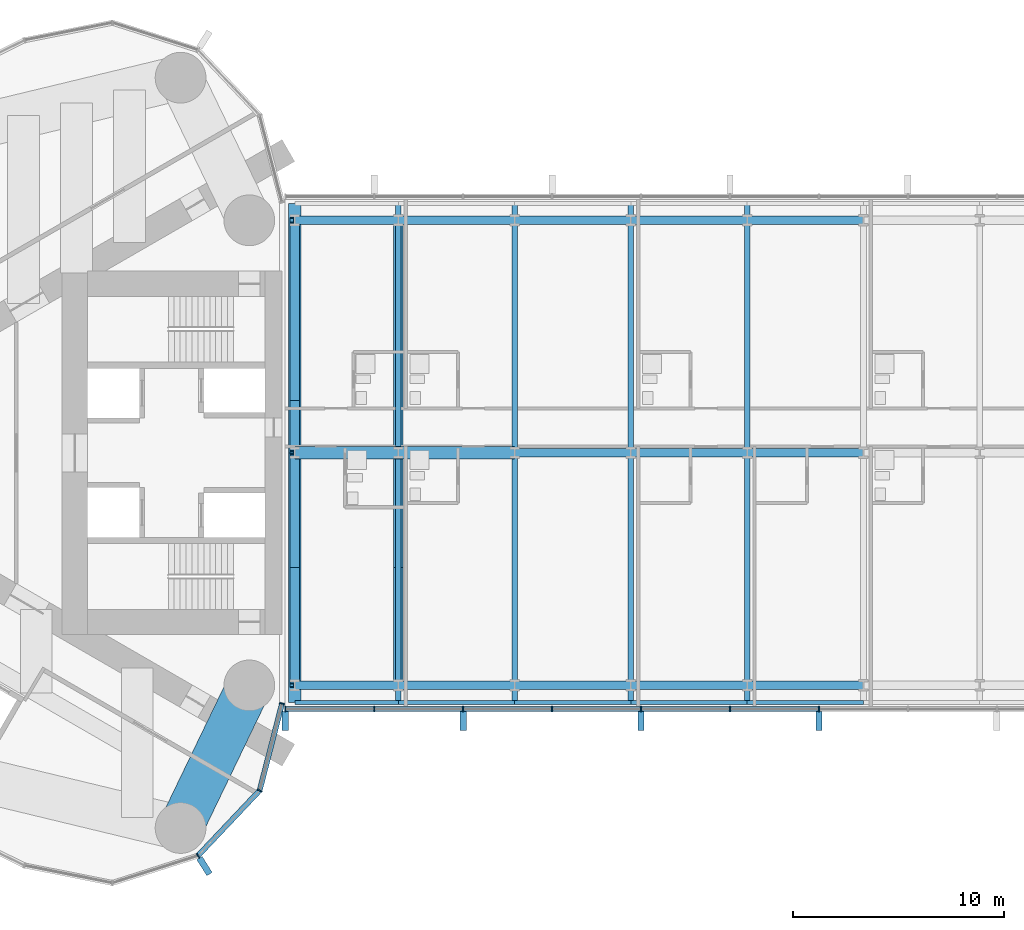
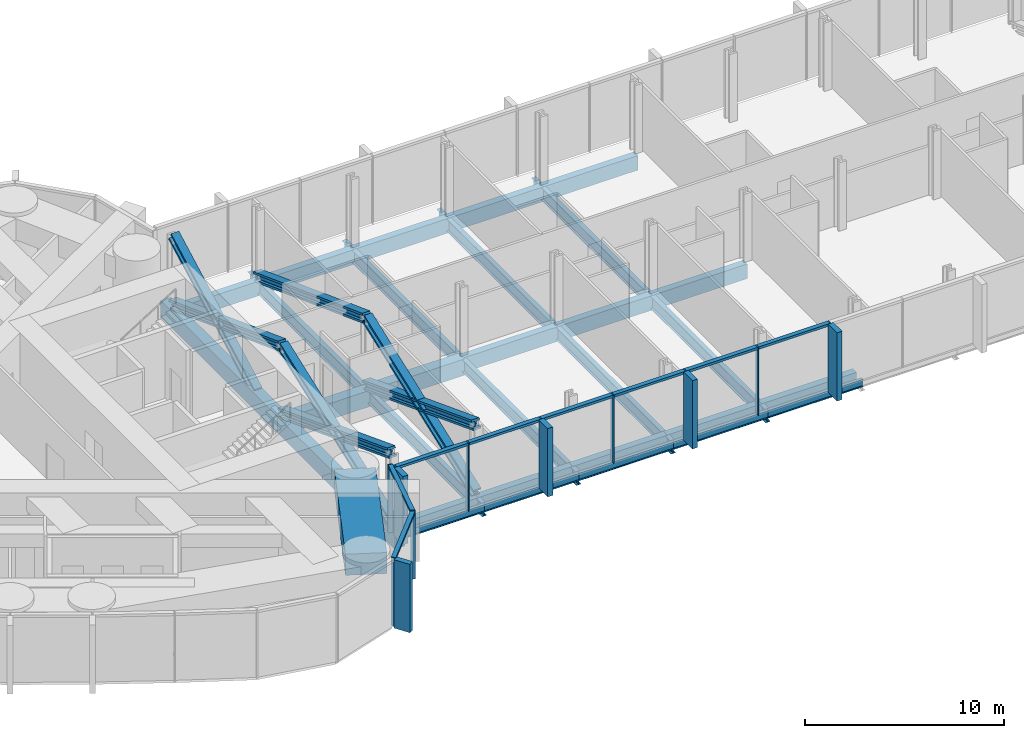
# One storey, part 5 of 23: 31 beams, 30 members, 2 elements without a shape of their own.
"""IFC4 building model written with IfcOpenShell, lengths in metres."""

from ifc_helpers import new_model, si_unit, direction, frame, origin, origin_2d, place, context, subcontext, project, spatial, rectangle, hollow_rectangle, i_section, extrude, material, material_profile, profile_set, type_object, element, aggregate, save


model = new_model("IFC4")

# Units and contexts
model_context = context("Model", 3, precision=1e-05, world=origin(), true_north=direction((0.0, 1.0)))
body_context = subcontext(model_context, "Body", "Model", "MODEL_VIEW")
ifc_project = project(units=[si_unit("LENGTHUNIT", "METRE"), si_unit("AREAUNIT", "SQUARE_METRE"), si_unit("VOLUMEUNIT", "CUBIC_METRE"), si_unit("PLANEANGLEUNIT", "RADIAN"), si_unit("MASSUNIT", "GRAM", prefix="KILO")], contexts=[model_context])

# Site, building, storey
site_placement = place(None, origin())
site = spatial("IfcSite", under=ifc_project, at=site_placement, CompositionType="ELEMENT")
building_placement = place(site_placement, origin())
building = spatial("IfcBuilding", under=site, at=building_placement, Name="Lancet Gate Hotel", CompositionType="ELEMENT")
storey_placement = place(building_placement, frame((0.0, 0.0, 247.699951171875)))
storey = spatial("IfcBuildingStorey", under=building, at=storey_placement, Name="L66", CompositionType="ELEMENT", Elevation=247.699951171875)

# Curtain wall, members
ifc_material_1 = material(Name="Aluminium curtain wall", Category="aluminium")
curtain_wall_type = type_object("IfcCurtainWallType", Name="Sky deck full-height glazing", PredefinedType="USERDEFINED", material=ifc_material_1)
curtain_wall_1_placement = place(storey_placement, origin())
curtain_wall_1 = element("IfcCurtainWall", 1, at=curtain_wall_1_placement, inside=storey, type_object=curtain_wall_type, Name="T1 L66 curtain wall 1", ObjectType="UNITISED CURTAIN WALL", PredefinedType="USERDEFINED")
ifc_material_2 = material(Name="Aluminium mullion", Category="aluminium")
ifc_material_profile_1 = material_profile(ifc_material_2, rectangle(XDim=0.06494140625, YDim=0.25, at=origin_2d()), Name="MULLION 65x250")
ifc_profile_set_1 = profile_set([ifc_material_profile_1], Name="Aluminium mullion")
member_type_1 = type_object("IfcMemberType", Name="Aluminium mullion 65x250", PredefinedType="MULLION", material=ifc_profile_set_1)
member_1_placement = place(storey_placement, frame((-31.476318359375, -19.0576171875, 0.0), z_axis=(0.0, 0.0, 1.0), x_axis=(0.846612863, 0.532209225966, 0.0)))
member_1 = element("IfcMember", 2, at=member_1_placement, type_object=member_type_1, Name="T1 L66 curtain wall 1 mullion 23", PredefinedType="MULLION", context=body_context, shape_type="SweptSolid", body=[
    extrude(rectangle(XDim=0.06494140625, YDim=0.25, at=origin_2d()), origin(), (0.0, 0.0, 1.0), 4.199951171875),
])
member_2_placement = place(storey_placement, frame((-28.56005859375, -15.97216796875, 0.0), z_axis=(0.0, 0.0, 1.0), x_axis=(0.483627322447, 0.875274021654, 0.0)))
member_2 = element("IfcMember", 3, at=member_2_placement, type_object=member_type_1, Name="T1 L66 curtain wall 1 mullion 24", PredefinedType="MULLION", context=body_context, shape_type="SweptSolid", body=[
    extrude(rectangle(XDim=0.06494140625, YDim=0.25, at=origin_2d()), origin(), (0.0, 0.0, 1.0), 4.199951171875),
])
member_3_placement = place(storey_placement, frame((-27.5, -11.861572265625, 0.0), z_axis=(0.0, 0.0, 1.0), x_axis=(0.249725827997, 0.968316586056, 0.0)))
member_3 = element("IfcMember", 4, at=member_3_placement, type_object=member_type_1, Name="T1 L66 curtain wall 1 mullion 25", PredefinedType="MULLION", context=body_context, shape_type="SweptSolid", body=[
    extrude(rectangle(XDim=0.06494140625, YDim=0.25, at=origin_2d()), origin(), (0.0, 0.0, 1.0), 4.199951171875),
])

curtain_wall_2_placement = place(storey_placement, origin())
curtain_wall_2 = element("IfcCurtainWall", 5, at=curtain_wall_2_placement, inside=storey, type_object=curtain_wall_type, Name="Bridge block L66 curtain wall S", ObjectType="UNITISED CURTAIN WALL", PredefinedType="USERDEFINED")
member_4_placement = place(storey_placement, frame((-27.35009765625, -12.1201171875, 0.0), z_axis=(0.0, 0.0, 1.0), x_axis=(1.0, 0.0, 0.0)))
member_4 = element("IfcMember", 6, at=member_4_placement, type_object=member_type_1, Name="Bridge block L66 curtain wall S mullion 1", PredefinedType="MULLION", context=body_context, shape_type="SweptSolid", body=[
    extrude(rectangle(XDim=0.06494140625, YDim=0.25, at=origin_2d()), origin(), (0.0, 0.0, 1.0), 4.199951171875),
])
member_5_placement = place(storey_placement, frame((-23.142333984375, -12.1201171875, 0.0), z_axis=(0.0, 0.0, 1.0), x_axis=(1.0, 0.0, 0.0)))
member_5 = element("IfcMember", 7, at=member_5_placement, type_object=member_type_1, Name="Bridge block L66 curtain wall S mullion 2", PredefinedType="MULLION", context=body_context, shape_type="SweptSolid", body=[
    extrude(rectangle(XDim=0.06494140625, YDim=0.25, at=origin_2d()), origin(), (0.0, 0.0, 1.0), 4.199951171875),
])
member_6_placement = place(storey_placement, frame((-18.9345703125, -12.1201171875, 0.0), z_axis=(0.0, 0.0, 1.0), x_axis=(1.0, 0.0, 0.0)))
member_6 = element("IfcMember", 8, at=member_6_placement, type_object=member_type_1, Name="Bridge block L66 curtain wall S mullion 3", PredefinedType="MULLION", context=body_context, shape_type="SweptSolid", body=[
    extrude(rectangle(XDim=0.06494140625, YDim=0.25, at=origin_2d()), origin(), (0.0, 0.0, 1.0), 4.199951171875),
])
member_7_placement = place(storey_placement, frame((-14.726806640625, -12.1201171875, 0.0), z_axis=(0.0, 0.0, 1.0), x_axis=(1.0, 0.0, 0.0)))
member_7 = element("IfcMember", 9, at=member_7_placement, type_object=member_type_1, Name="Bridge block L66 curtain wall S mullion 4", PredefinedType="MULLION", context=body_context, shape_type="SweptSolid", body=[
    extrude(rectangle(XDim=0.06494140625, YDim=0.25, at=origin_2d()), origin(), (0.0, 0.0, 1.0), 4.199951171875),
])
member_8_placement = place(storey_placement, frame((-10.519287109375, -12.1201171875, 0.0), z_axis=(0.0, 0.0, 1.0), x_axis=(1.0, 0.0, 0.0)))
member_8 = element("IfcMember", 10, at=member_8_placement, type_object=member_type_1, Name="Bridge block L66 curtain wall S mullion 5", PredefinedType="MULLION", context=body_context, shape_type="SweptSolid", body=[
    extrude(rectangle(XDim=0.06494140625, YDim=0.25, at=origin_2d()), origin(), (0.0, 0.0, 1.0), 4.199951171875),
])
member_9_placement = place(storey_placement, frame((-6.3115234375, -12.1201171875, 0.0), z_axis=(0.0, 0.0, 1.0), x_axis=(1.0, 0.0, 0.0)))
member_9 = element("IfcMember", 11, at=member_9_placement, type_object=member_type_1, Name="Bridge block L66 curtain wall S mullion 6", PredefinedType="MULLION", context=body_context, shape_type="SweptSolid", body=[
    extrude(rectangle(XDim=0.06494140625, YDim=0.25, at=origin_2d()), origin(), (0.0, 0.0, 1.0), 4.199951171875),
])
member_10_placement = place(storey_placement, frame((-2.103759765625, -12.1201171875, 0.0), z_axis=(0.0, 0.0, 1.0), x_axis=(1.0, 0.0, 0.0)))
member_10 = element("IfcMember", 12, at=member_10_placement, type_object=member_type_1, Name="Bridge block L66 curtain wall S mullion 7", PredefinedType="MULLION", context=body_context, shape_type="SweptSolid", body=[
    extrude(rectangle(XDim=0.06494140625, YDim=0.25, at=origin_2d()), origin(), (0.0, 0.0, 1.0), 4.199951171875),
])

# Member
ifc_material_3 = material(Name="Aluminium transom", Category="aluminium")
ifc_material_profile_2 = material_profile(ifc_material_3, rectangle(XDim=0.25, YDim=0.14990234375, at=origin_2d()), Name="TRANSOM 250x150")
ifc_profile_set_2 = profile_set([ifc_material_profile_2], Name="Aluminium transom")
member_type_2 = type_object("IfcMemberType", Name="Aluminium transom 250x150", PredefinedType="USERDEFINED", material=ifc_profile_set_2)
member_11_placement = place(storey_placement, frame((-31.453857421875, -19.033935546875, 4.125), z_axis=(0.686880731091, 0.726770157103, 0.0), x_axis=(-0.726770157103, 0.686880731091, 0.0)))
member_11 = element("IfcMember", 13, at=member_11_placement, type_object=member_type_2, Name="T1 L66 curtain wall 1 transom 23", ObjectType="TRANSOM", PredefinedType="USERDEFINED", context=body_context, shape_type="SweptSolid", body=[
    extrude(rectangle(XDim=0.25, YDim=0.14990234375, at=origin_2d()), origin(), (0.0, 0.0, 1.0), 4.18017578125),
])

member_12_placement = place(storey_placement, frame((-28.552001953125, -15.94091796875, 4.125), z_axis=(0.249715522936, 0.968319243641, 0.0), x_axis=(-0.968319243641, 0.249715522936, 0.0)))
member_12 = element("IfcMember", 14, at=member_12_placement, type_object=member_type_2, Name="T1 L66 curtain wall 1 transom 24", ObjectType="TRANSOM", PredefinedType="USERDEFINED", context=body_context, shape_type="SweptSolid", body=[
    extrude(rectangle(XDim=0.25, YDim=0.14990234375, at=origin_2d()), origin(), (0.0, 0.0, 1.0), 4.180419921875),
])

member_13_placement = place(storey_placement, frame((-27.3173828125, -12.1201171875, 4.125), z_axis=(1.0, 0.0, 0.0), x_axis=(0.0, 1.0, 0.0)))
member_13 = element("IfcMember", 15, at=member_13_placement, type_object=member_type_2, Name="Bridge block L66 curtain wall S transom 1", ObjectType="TRANSOM", PredefinedType="USERDEFINED", context=body_context, shape_type="SweptSolid", body=[
    extrude(rectangle(XDim=0.25, YDim=0.14990234375, at=origin_2d()), origin(), (0.0, 0.0, 1.0), 4.142578125),
])

member_14_placement = place(storey_placement, frame((-23.10986328125, -12.1201171875, 4.125), z_axis=(1.0, 0.0, 0.0), x_axis=(0.0, 1.0, 0.0)))
member_14 = element("IfcMember", 16, at=member_14_placement, type_object=member_type_2, Name="Bridge block L66 curtain wall S transom 2", ObjectType="TRANSOM", PredefinedType="USERDEFINED", context=body_context, shape_type="SweptSolid", body=[
    extrude(rectangle(XDim=0.25, YDim=0.14990234375, at=origin_2d()), origin(), (0.0, 0.0, 1.0), 4.142822265625),
])

member_15_placement = place(storey_placement, frame((-18.902099609375, -12.1201171875, 4.125), z_axis=(1.0, 0.0, 0.0), x_axis=(0.0, 1.0, 0.0)))
member_15 = element("IfcMember", 17, at=member_15_placement, type_object=member_type_2, Name="Bridge block L66 curtain wall S transom 3", ObjectType="TRANSOM", PredefinedType="USERDEFINED", context=body_context, shape_type="SweptSolid", body=[
    extrude(rectangle(XDim=0.25, YDim=0.14990234375, at=origin_2d()), origin(), (0.0, 0.0, 1.0), 4.142578125),
])

member_16_placement = place(storey_placement, frame((-14.6943359375, -12.1201171875, 4.125), z_axis=(1.0, 0.0, 0.0), x_axis=(0.0, 1.0, 0.0)))
member_16 = element("IfcMember", 18, at=member_16_placement, type_object=member_type_2, Name="Bridge block L66 curtain wall S transom 4", ObjectType="TRANSOM", PredefinedType="USERDEFINED", context=body_context, shape_type="SweptSolid", body=[
    extrude(rectangle(XDim=0.25, YDim=0.14990234375, at=origin_2d()), origin(), (0.0, 0.0, 1.0), 4.142578125),
])

member_17_placement = place(storey_placement, frame((-10.48681640625, -12.1201171875, 4.125), z_axis=(1.0, 0.0, 0.0), x_axis=(0.0, 1.0, 0.0)))
member_17 = element("IfcMember", 19, at=member_17_placement, type_object=member_type_2, Name="Bridge block L66 curtain wall S transom 5", ObjectType="TRANSOM", PredefinedType="USERDEFINED", context=body_context, shape_type="SweptSolid", body=[
    extrude(rectangle(XDim=0.25, YDim=0.14990234375, at=origin_2d()), origin(), (0.0, 0.0, 1.0), 4.142822265625),
])

member_18_placement = place(storey_placement, frame((-6.279052734375, -12.1201171875, 4.125), z_axis=(1.0, 0.0, 0.0), x_axis=(0.0, 1.0, 0.0)))
member_18 = element("IfcMember", 20, at=member_18_placement, type_object=member_type_2, Name="Bridge block L66 curtain wall S transom 6", ObjectType="TRANSOM", PredefinedType="USERDEFINED", context=body_context, shape_type="SweptSolid", body=[
    extrude(rectangle(XDim=0.25, YDim=0.14990234375, at=origin_2d()), origin(), (0.0, 0.0, 1.0), 4.142822265625),
])

# Members
ifc_material_4 = material(Name="Steel S460", Category="steel")
ifc_material_profile_3 = material_profile(ifc_material_4, i_section(OverallWidth=0.4541015625, OverallDepth=0.569091796875, WebThickness=0.077880859375, FlangeThickness=0.125, FilletRadius=0.02001953125, at=origin_2d()), Name="HD 400x1086")
ifc_profile_set_3 = profile_set([ifc_material_profile_3], Name="Steel S460")
member_type_3 = type_object("IfcMemberType", Name="Block brace HD 400x1086", PredefinedType="BRACE", material=ifc_profile_set_3)
member_19_placement = place(storey_placement, frame((-26.89990234375, -11.0, 0.0), z_axis=(0.0, 0.937024738711, 0.349262994094), x_axis=(-1.0, 0.0, 0.0)))
element("IfcMember", 21, at=member_19_placement, inside=storey, type_object=member_type_3, Name="Block brace WY11 L66", PredefinedType="BRACE", context=body_context, shape_type="SweptSolid", body=[
    extrude(i_section(OverallWidth=0.4541015625, OverallDepth=0.569091796875, WebThickness=0.077880859375, FlangeThickness=0.125, FilletRadius=0.02001953125, at=origin_2d()), origin(), (0.0, 0.0, 1.0), 11.7392578125),
])
member_20_placement = place(storey_placement, frame((-26.89990234375, 0.0, 0.0), z_axis=(0.0, -0.934219768083, 0.356697946341), x_axis=(1.0, 0.0, 0.0)))
element("IfcMember", 22, at=member_20_placement, inside=storey, type_object=member_type_3, Name="Block brace WY12 L66", PredefinedType="BRACE", context=body_context, shape_type="SweptSolid", body=[
    extrude(i_section(OverallWidth=0.4541015625, OverallDepth=0.569091796875, WebThickness=0.077880859375, FlangeThickness=0.125, FilletRadius=0.02001953125, at=origin_2d()), origin(), (0.0, 0.0, 1.0), 11.7744140625),
])
for number, where, z_axis, x_axis, name in (
    (23, (-26.89990234375, 11.0, 0.0), (0.0, -0.937024738711, 0.349262994094), (1.0, 0.0, 0.0), "Block brace WY22 L66"),
    (24, (-22.0, -11.0, 0.0), (0.0, 0.937024738711, 0.349262994094), (-1.0, 0.0, 0.0), "Block brace WI11 L66"),
):
    element("IfcMember", number, at=place(storey_placement, frame(where, z_axis=z_axis, x_axis=x_axis)), inside=storey, type_object=member_type_3, Name=name, PredefinedType="BRACE", context=body_context, shape_type="SweptSolid", body=[
        extrude(i_section(OverallWidth=0.4541015625, OverallDepth=0.569091796875, WebThickness=0.077880859375, FlangeThickness=0.125, FilletRadius=0.02001953125, at=origin_2d()), origin(), (0.0, 0.0, 1.0), 11.7392578125),
    ])
member_21_placement = place(storey_placement, frame((-22.0, 0.0, 0.0), z_axis=(0.0, -0.934219768083, 0.356697946341), x_axis=(1.0, 0.0, 0.0)))
element("IfcMember", 25, at=member_21_placement, inside=storey, type_object=member_type_3, Name="Block brace WI12 L66", PredefinedType="BRACE", context=body_context, shape_type="SweptSolid", body=[
    extrude(i_section(OverallWidth=0.4541015625, OverallDepth=0.569091796875, WebThickness=0.077880859375, FlangeThickness=0.125, FilletRadius=0.02001953125, at=origin_2d()), origin(), (0.0, 0.0, 1.0), 11.7744140625),
])
member_22_placement = place(storey_placement, frame((-22.0, 11.0, 0.0), z_axis=(0.0, -0.937024738711, 0.349262994094), x_axis=(1.0, 0.0, 0.0)))
element("IfcMember", 26, at=member_22_placement, inside=storey, type_object=member_type_3, Name="Block brace WI22 L66", PredefinedType="BRACE", context=body_context, shape_type="SweptSolid", body=[
    extrude(i_section(OverallWidth=0.4541015625, OverallDepth=0.569091796875, WebThickness=0.077880859375, FlangeThickness=0.125, FilletRadius=0.02001953125, at=origin_2d()), origin(), (0.0, 0.0, 1.0), 11.7392578125),
])
member_23_placement = place(storey_placement, frame((-26.89990234375, 2.60009765625, -0.300048828125), z_axis=(0.0, 0.881477684796, 0.472225678258), x_axis=(-1.0, 0.0, 0.0)))
element("IfcMember", 27, at=member_23_placement, inside=storey, type_object=member_type_3, Name="Block brace WY23 L66", PredefinedType="BRACE", context=body_context, shape_type="SweptSolid", body=[
    extrude(i_section(OverallWidth=0.4541015625, OverallDepth=0.569091796875, WebThickness=0.077880859375, FlangeThickness=0.125, FilletRadius=0.02001953125, at=origin_2d()), origin(), (0.0, 0.0, 1.0), 9.529296875),
])

# Beams
ifc_material_5 = material(Name="Steel S355", Category="steel")
ifc_material_profile_4 = material_profile(ifc_material_5, i_section(OverallWidth=0.19140625, OverallDepth=0.4599609375, WebThickness=0.010009765625, FlangeThickness=0.01611328125, FilletRadius=0.01025390625, at=origin_2d()), Name="UKB 457x191x82")
ifc_profile_set_4 = profile_set([ifc_material_profile_4], Name="Steel S355")
beam_type_1 = type_object("IfcBeamType", Name="Block edge beam UKB 457x191x82", PredefinedType="SPANDREL", material=ifc_profile_set_4)
beam_1_placement = place(storey_placement, frame((-26.89990234375, -11.800048828125, -0.429931640625), z_axis=(1.0, 0.0, 0.0), x_axis=(0.0, 1.0, 0.0)))
element("IfcBeam", 28, at=beam_1_placement, inside=storey, type_object=beam_type_1, Name="Block edge beam S 0-1 L66", PredefinedType="SPANDREL", context=body_context, shape_type="SweptSolid", body=[
    extrude(i_section(OverallWidth=0.19140625, OverallDepth=0.4599609375, WebThickness=0.010009765625, FlangeThickness=0.01611328125, FilletRadius=0.01025390625, at=origin_2d()), origin(), (0.0, 0.0, 1.0), 4.89990234375),
])
for number, where, z_axis, x_axis, name in (
    (29, (-22.0, -11.800048828125, -0.429931640625), (1.0, 0.0, 0.0), (0.0, 1.0, 0.0), "Block edge beam S 1-2 L66"),
    (30, (-16.5, -11.800048828125, -0.429931640625), (1.0, 0.0, 0.0), (0.0, 1.0, 0.0), "Block edge beam S 2-3 L66"),
    (31, (-11.0, -11.800048828125, -0.429931640625), (1.0, 0.0, 0.0), (0.0, 1.0, 0.0), "Block edge beam S 3-4 L66"),
    (32, (-5.5, -11.800048828125, -0.429931640625), (1.0, 0.0, 0.0), (0.0, 1.0, 0.0), "Block edge beam S 4-5 L66"),
):
    element("IfcBeam", number, at=place(storey_placement, frame(where, z_axis=z_axis, x_axis=x_axis)), inside=storey, type_object=beam_type_1, Name=name, PredefinedType="SPANDREL", context=body_context, shape_type="SweptSolid", body=[
        extrude(i_section(OverallWidth=0.19140625, OverallDepth=0.4599609375, WebThickness=0.010009765625, FlangeThickness=0.01611328125, FilletRadius=0.01025390625, at=origin_2d()), origin(), (0.0, 0.0, 1.0), 5.5),
    ])
ifc_material_6 = material(Name="Steel S460QL", Category="steel")
ifc_material_profile_5 = material_profile(ifc_material_6, hollow_rectangle(XDim=0.60009765625, YDim=1.0, WallThickness=0.10009765625, at=origin_2d()), Name="BOX 1000x600x100")
ifc_profile_set_5 = profile_set([ifc_material_profile_5], Name="Steel S460QL")
beam_type_2 = type_object("IfcBeamType", Name="Block end beam BOX 1000x600x100", PredefinedType="BEAM", material=ifc_profile_set_5)
for number, where, z_axis, x_axis, name in (
    (33, (-26.89990234375, -11.800048828125, -0.699951171875), (0.0, 1.0, 0.0), (-1.0, 0.0, 0.0), "Block beam x0 S L66"),
    (34, (-26.89990234375, 0.0, -0.699951171875), (0.0, 1.0, 0.0), (-1.0, 0.0, 0.0), "Block beam x0 N L66"),
):
    element("IfcBeam", number, at=place(storey_placement, frame(where, z_axis=z_axis, x_axis=x_axis)), inside=storey, type_object=beam_type_2, Name=name, PredefinedType="BEAM", context=body_context, shape_type="SweptSolid", body=[
        extrude(hollow_rectangle(XDim=0.60009765625, YDim=1.0, WallThickness=0.10009765625, at=origin_2d()), origin(), (0.0, 0.0, 1.0), 11.800048828125),
    ])
ifc_material_7 = material(Name="Steel S460QL", Category="steel")
ifc_material_profile_6 = material_profile(ifc_material_7, hollow_rectangle(XDim=0.60009765625, YDim=1.0, WallThickness=0.080078125, at=origin_2d()), Name="BOX 1000x600x80")
ifc_profile_set_6 = profile_set([ifc_material_profile_6], Name="Steel S460QL")
beam_type_3 = type_object("IfcBeamType", Name="Block primary beam BOX 1000x600x80", PredefinedType="BEAM", material=ifc_profile_set_6)
beam_2_placement = place(storey_placement, frame((-26.89990234375, 0.0, -0.699951171875), z_axis=(1.0, 0.0, 0.0), x_axis=(0.0, 1.0, 0.0)))
element("IfcBeam", 35, at=beam_2_placement, inside=storey, type_object=beam_type_3, Name="Block primary beam M 1 L66", PredefinedType="BEAM", context=body_context, shape_type="SweptSolid", body=[
    extrude(hollow_rectangle(XDim=0.60009765625, YDim=1.0, WallThickness=0.080078125, at=origin_2d()), origin(), (0.0, 0.0, 1.0), 4.89990234375),
])
beam_3_placement = place(storey_placement, frame((-22.0, 0.0, -0.699951171875), z_axis=(1.0, 0.0, 0.0), x_axis=(0.0, 1.0, 0.0)))
element("IfcBeam", 36, at=beam_3_placement, inside=storey, type_object=beam_type_3, Name="Block primary beam M 2 L66", PredefinedType="BEAM", context=body_context, shape_type="SweptSolid", body=[
    extrude(hollow_rectangle(XDim=0.60009765625, YDim=1.0, WallThickness=0.080078125, at=origin_2d()), origin(), (0.0, 0.0, 1.0), 5.5),
])
ifc_material_8 = material(Name="Steel S355", Category="steel")
ifc_material_profile_7 = material_profile(ifc_material_8, hollow_rectangle(XDim=0.39990234375, YDim=0.89990234375, WallThickness=0.0400390625, at=origin_2d()), Name="BOX 900x400x40")
ifc_profile_set_7 = profile_set([ifc_material_profile_7], Name="Steel S355")
beam_type_4 = type_object("IfcBeamType", Name="Block primary beam BOX 900x400x40", PredefinedType="BEAM", material=ifc_profile_set_7)
beam_4_placement = place(storey_placement, frame((-26.89990234375, -11.0, -0.64990234375), z_axis=(1.0, 0.0, 0.0), x_axis=(0.0, 1.0, 0.0)))
element("IfcBeam", 37, at=beam_4_placement, inside=storey, type_object=beam_type_4, Name="Block primary beam S 1 L66", PredefinedType="BEAM", context=body_context, shape_type="SweptSolid", body=[
    extrude(hollow_rectangle(XDim=0.39990234375, YDim=0.89990234375, WallThickness=0.0400390625, at=origin_2d()), origin(), (0.0, 0.0, 1.0), 4.89990234375),
])
for number, where, z_axis, x_axis, name in (
    (38, (-22.0, -11.0, -0.64990234375), (1.0, 0.0, 0.0), (0.0, 1.0, 0.0), "Block primary beam S 2 L66"),
    (39, (-16.5, -11.0, -0.64990234375), (1.0, 0.0, 0.0), (0.0, 1.0, 0.0), "Block primary beam S 3 L66"),
    (40, (-11.0, -11.0, -0.64990234375), (1.0, 0.0, 0.0), (0.0, 1.0, 0.0), "Block primary beam S 4 L66"),
    (41, (-5.5, -11.0, -0.64990234375), (1.0, 0.0, 0.0), (0.0, 1.0, 0.0), "Block primary beam S 5 L66"),
    (42, (-16.5, 0.0, -0.64990234375), (1.0, 0.0, 0.0), (0.0, 1.0, 0.0), "Block primary beam M 3 L66"),
    (43, (-11.0, 0.0, -0.64990234375), (1.0, 0.0, 0.0), (0.0, 1.0, 0.0), "Block primary beam M 4 L66"),
    (44, (-5.5, 0.0, -0.64990234375), (1.0, 0.0, 0.0), (0.0, 1.0, 0.0), "Block primary beam M 5 L66"),
):
    element("IfcBeam", number, at=place(storey_placement, frame(where, z_axis=z_axis, x_axis=x_axis)), inside=storey, type_object=beam_type_4, Name=name, PredefinedType="BEAM", context=body_context, shape_type="SweptSolid", body=[
        extrude(hollow_rectangle(XDim=0.39990234375, YDim=0.89990234375, WallThickness=0.0400390625, at=origin_2d()), origin(), (0.0, 0.0, 1.0), 5.5),
    ])
beam_5_placement = place(storey_placement, frame((-26.89990234375, 11.0, -0.64990234375), z_axis=(1.0, 0.0, 0.0), x_axis=(0.0, 1.0, 0.0)))
element("IfcBeam", 45, at=beam_5_placement, inside=storey, type_object=beam_type_4, Name="Block primary beam N 1 L66", PredefinedType="BEAM", context=body_context, shape_type="SweptSolid", body=[
    extrude(hollow_rectangle(XDim=0.39990234375, YDim=0.89990234375, WallThickness=0.0400390625, at=origin_2d()), origin(), (0.0, 0.0, 1.0), 4.89990234375),
])
for number, where, z_axis, x_axis, name in (
    (46, (-22.0, 11.0, -0.64990234375), (1.0, 0.0, 0.0), (0.0, 1.0, 0.0), "Block primary beam N 2 L66"),
    (47, (-16.5, 11.0, -0.64990234375), (1.0, 0.0, 0.0), (0.0, 1.0, 0.0), "Block primary beam N 3 L66"),
    (48, (-11.0, 11.0, -0.64990234375), (1.0, 0.0, 0.0), (0.0, 1.0, 0.0), "Block primary beam N 4 L66"),
    (49, (-5.5, 11.0, -0.64990234375), (1.0, 0.0, 0.0), (0.0, 1.0, 0.0), "Block primary beam N 5 L66"),
):
    element("IfcBeam", number, at=place(storey_placement, frame(where, z_axis=z_axis, x_axis=x_axis)), inside=storey, type_object=beam_type_4, Name=name, PredefinedType="BEAM", context=body_context, shape_type="SweptSolid", body=[
        extrude(hollow_rectangle(XDim=0.39990234375, YDim=0.89990234375, WallThickness=0.0400390625, at=origin_2d()), origin(), (0.0, 0.0, 1.0), 5.5),
    ])
ifc_material_9 = material(Name="Steel S355", Category="steel")
ifc_material_profile_8 = material_profile(ifc_material_9, i_section(OverallWidth=0.26806640625, OverallDepth=0.769775390625, WebThickness=0.015625, FlangeThickness=0.025390625, FilletRadius=0.0166015625, at=origin_2d()), Name="UKB 762x267x197")
ifc_profile_set_8 = profile_set([ifc_material_profile_8], Name="Steel S355")
beam_type_5 = type_object("IfcBeamType", Name="Block secondary beam UKB 762x267x197", PredefinedType="JOIST", material=ifc_profile_set_8)
for number, where, z_axis, x_axis, name in (
    (50, (-22.0, -11.800048828125, -0.5849609375), (0.0, 1.0, 0.0), (-1.0, 0.0, 0.0), "Block beam x1 S L66"),
    (51, (-22.0, 0.0, -0.5849609375), (0.0, 1.0, 0.0), (-1.0, 0.0, 0.0), "Block beam x1 N L66"),
    (52, (-16.5, -11.800048828125, -0.5849609375), (0.0, 1.0, 0.0), (-1.0, 0.0, 0.0), "Block beam x2 S L66"),
    (53, (-16.5, 0.0, -0.5849609375), (0.0, 1.0, 0.0), (-1.0, 0.0, 0.0), "Block beam x2 N L66"),
    (54, (-11.0, -11.800048828125, -0.5849609375), (0.0, 1.0, 0.0), (-1.0, 0.0, 0.0), "Block beam x3 S L66"),
    (55, (-11.0, 0.0, -0.5849609375), (0.0, 1.0, 0.0), (-1.0, 0.0, 0.0), "Block beam x3 N L66"),
    (56, (-5.5, -11.800048828125, -0.5849609375), (0.0, 1.0, 0.0), (-1.0, 0.0, 0.0), "Block beam x4 S L66"),
    (57, (-5.5, 0.0, -0.5849609375), (0.0, 1.0, 0.0), (-1.0, 0.0, 0.0), "Block beam x4 N L66"),
):
    element("IfcBeam", number, at=place(storey_placement, frame(where, z_axis=z_axis, x_axis=x_axis)), inside=storey, type_object=beam_type_5, Name=name, PredefinedType="JOIST", context=body_context, shape_type="SweptSolid", body=[
        extrude(i_section(OverallWidth=0.26806640625, OverallDepth=0.769775390625, WebThickness=0.015625, FlangeThickness=0.025390625, FilletRadius=0.0166015625, at=origin_2d()), origin(), (0.0, 0.0, 1.0), 11.800048828125),
    ])
ifc_material_10 = material(Name="Concrete C50/60", Category="concrete")
ifc_material_profile_9 = material_profile(ifc_material_10, rectangle(XDim=2.10009765625, YDim=1.300048828125, at=origin_2d()), Name="RC 2100x1300")
ifc_profile_set_9 = profile_set([ifc_material_profile_9], Name="Concrete C50/60")
beam_type_6 = type_object("IfcBeamType", Name="Edge beam RC 2100x1300", PredefinedType="SPANDREL", material=ifc_profile_set_9)
beam_6_placement = place(storey_placement, frame((-29.050048828125, -11.0, 3.300048828125), z_axis=(-0.434163599361, -0.900834040759, 0.0), x_axis=(0.900834040759, -0.434163599361, 0.0)))
element("IfcBeam", 58, at=beam_6_placement, inside=storey, type_object=beam_type_6, Name="T1 edge beam EB1 L66", PredefinedType="SPANDREL", context=body_context, shape_type="SweptSolid", body=[
    extrude(rectangle(XDim=2.10009765625, YDim=1.300048828125, at=origin_2d()), origin(), (0.0, 0.0, 1.0), 7.48779296875),
])

# Member
ifc_material_11 = material(Name="Precast concrete C50/60", Category="concrete")
ifc_material_profile_10 = material_profile(ifc_material_11, rectangle(XDim=0.300048828125, YDim=0.89990234375, at=origin_2d()), Name="FIN 300x900")
ifc_profile_set_10 = profile_set([ifc_material_profile_10], Name="Precast concrete C50/60")
member_type_4 = type_object("IfcMemberType", Name="Exposed concrete fin 300x900", PredefinedType="USERDEFINED", material=ifc_profile_set_10)
member_24_placement = place(storey_placement, frame((-31.170166015625, -19.54443359375, 0.0), z_axis=(0.0, 0.0, 1.0), x_axis=(0.846612863, 0.532209225966, 0.0)))
member_24 = element("IfcMember", 59, at=member_24_placement, type_object=member_type_4, Name="T1 L66 curtain wall 1 fin 23", ObjectType="FIN", PredefinedType="USERDEFINED", context=body_context, shape_type="SweptSolid", body=[
    extrude(rectangle(XDim=0.300048828125, YDim=0.89990234375, at=origin_2d()), origin(), (0.0, 0.0, 1.0), 4.199951171875),
])

aggregate(curtain_wall_1, [member_1, member_24, member_2, member_3, member_11, member_12])

member_25_placement = place(storey_placement, frame((-27.35009765625, -12.695068359375, 0.0), z_axis=(0.0, 0.0, 1.0), x_axis=(1.0, 0.0, 0.0)))
member_25 = element("IfcMember", 60, at=member_25_placement, type_object=member_type_4, Name="Bridge block L66 curtain wall S fin 1", ObjectType="FIN", PredefinedType="USERDEFINED", context=body_context, shape_type="SweptSolid", body=[
    extrude(rectangle(XDim=0.300048828125, YDim=0.89990234375, at=origin_2d()), origin(), (0.0, 0.0, 1.0), 4.199951171875),
])

member_26_placement = place(storey_placement, frame((-18.9345703125, -12.695068359375, 0.0), z_axis=(0.0, 0.0, 1.0), x_axis=(1.0, 0.0, 0.0)))
member_26 = element("IfcMember", 61, at=member_26_placement, type_object=member_type_4, Name="Bridge block L66 curtain wall S fin 3", ObjectType="FIN", PredefinedType="USERDEFINED", context=body_context, shape_type="SweptSolid", body=[
    extrude(rectangle(XDim=0.300048828125, YDim=0.89990234375, at=origin_2d()), origin(), (0.0, 0.0, 1.0), 4.199951171875),
])

member_27_placement = place(storey_placement, frame((-10.519287109375, -12.695068359375, 0.0), z_axis=(0.0, 0.0, 1.0), x_axis=(1.0, 0.0, 0.0)))
member_27 = element("IfcMember", 62, at=member_27_placement, type_object=member_type_4, Name="Bridge block L66 curtain wall S fin 5", ObjectType="FIN", PredefinedType="USERDEFINED", context=body_context, shape_type="SweptSolid", body=[
    extrude(rectangle(XDim=0.300048828125, YDim=0.89990234375, at=origin_2d()), origin(), (0.0, 0.0, 1.0), 4.199951171875),
])

member_28_placement = place(storey_placement, frame((-2.103759765625, -12.695068359375, 0.0), z_axis=(0.0, 0.0, 1.0), x_axis=(1.0, 0.0, 0.0)))
member_28 = element("IfcMember", 63, at=member_28_placement, type_object=member_type_4, Name="Bridge block L66 curtain wall S fin 7", ObjectType="FIN", PredefinedType="USERDEFINED", context=body_context, shape_type="SweptSolid", body=[
    extrude(rectangle(XDim=0.300048828125, YDim=0.89990234375, at=origin_2d()), origin(), (0.0, 0.0, 1.0), 4.199951171875),
])

aggregate(curtain_wall_2, [member_4, member_25, member_5, member_6, member_26, member_7, member_8, member_27, member_9, member_10, member_28, member_13, member_14, member_15, member_16, member_17, member_18])

save(model, "model.ifc")
